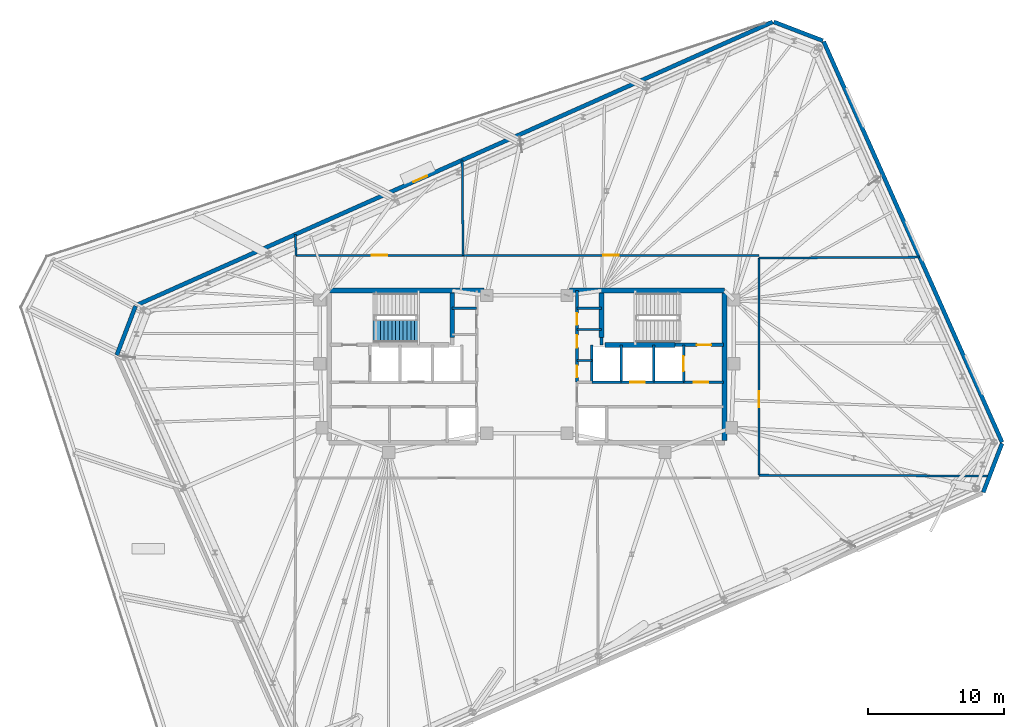
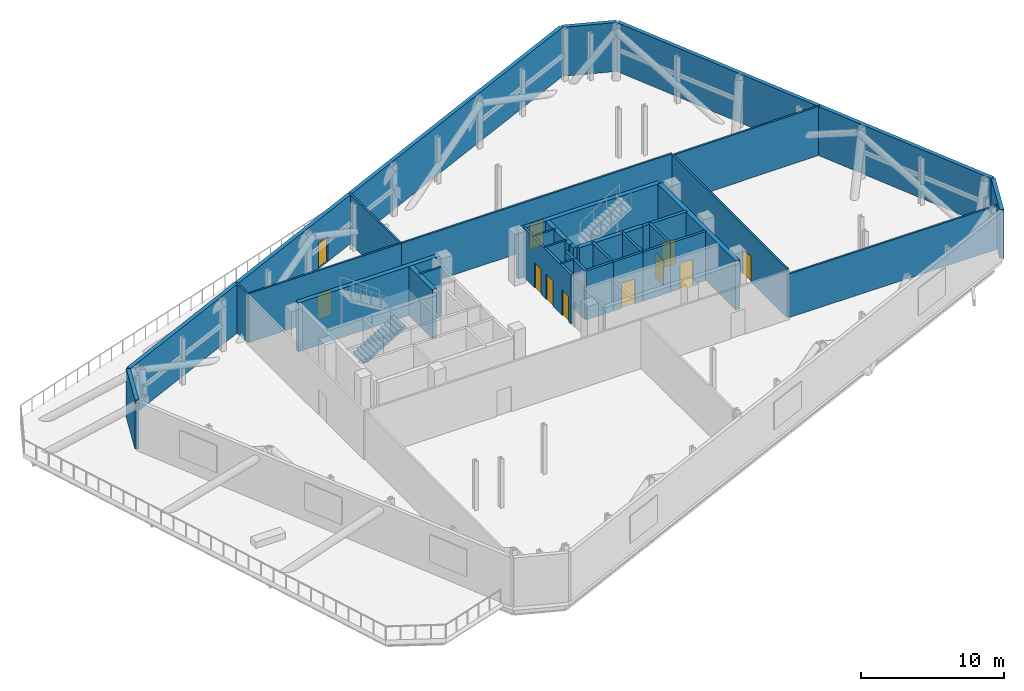
# One storey, part 13 of 15: 33 walls, 11 doors, 1 stair flight, 11 openings, 1 element without a shape of its own.
"""IFC4 building model written with IfcOpenShell, lengths in metres."""

from ifc_helpers import new_model, si_unit, direction, frame, frame_2d, origin, place, context, subcontext, project, spatial, polyline, rectangle, outline, extrude, material, layer, layer_set, type_object, element, fill, aggregate, save


model = new_model("IFC4")

# Units and contexts
model_context = context("Model", 3, precision=1e-05, world=origin(), true_north=direction((0.0, 1.0)))
body_context = subcontext(model_context, "Body", "Model", "MODEL_VIEW")
ifc_project = project(units=[si_unit("LENGTHUNIT", "METRE"), si_unit("AREAUNIT", "SQUARE_METRE"), si_unit("VOLUMEUNIT", "CUBIC_METRE"), si_unit("PLANEANGLEUNIT", "RADIAN"), si_unit("MASSUNIT", "GRAM", prefix="KILO")], contexts=[model_context])

# Site, building, storey
site_placement = place(None, origin())
site = spatial("IfcSite", under=ifc_project, at=site_placement, CompositionType="ELEMENT")
building_placement = place(site_placement, origin())
building = spatial("IfcBuilding", under=site, at=building_placement, Name="Menara Jurai Vektor", CompositionType="ELEMENT")
storey_placement = place(building_placement, frame((0.0, 0.0, 254.449951171875)))
storey = spatial("IfcBuildingStorey", under=building, at=storey_placement, Name="L68", CompositionType="ELEMENT", Elevation=254.449951171875)

# Walls
ifc_material_1 = material(Name="Insulated Pale Aluminium Spandrel Wall", Category="aluminium")
ifc_layer_1 = layer(ifc_material_1, 0.300048828125)
ifc_layer_set_1 = layer_set([ifc_layer_1], Name="Insulated Pale Aluminium Spandrel Wall")
wall_type_1 = type_object("IfcWallType", Name="ENV-WALL-EXT300", PredefinedType="STANDARD", material=ifc_layer_set_1)
wall_1_placement = place(storey_placement, frame((33.622314453125, -9.26220703125, 0.0), z_axis=(0.0, 0.0, 1.0), x_axis=(0.358344855618, 0.933589291098, 0.0)))
element("IfcWall", 1, at=wall_1_placement, inside=storey, type_object=wall_type_1, Name="Plant Floor Enclosure Wall L68-02", PredefinedType="STANDARD", context=body_context, shape_type="SweptSolid", body=[
    extrude(rectangle(XDim=3.869873046875, YDim=0.300048828125, at=frame_2d((1.93505859375, 0.0))), origin(), (0.0, 0.0, 1.0), 4.175048828125),
])
wall_2_placement = place(storey_placement, frame((35.0068359375, -5.56640625, 0.0), z_axis=(0.0, 0.0, 1.0), x_axis=(-0.406735709426, 0.91354587333, 0.0)))
element("IfcWall", 2, at=wall_2_placement, inside=storey, type_object=wall_type_1, Name="Plant Floor Enclosure Wall L68-03", PredefinedType="STANDARD", context=body_context, shape_type="SweptSolid", body=[
    extrude(rectangle(XDim=32.309814453125, YDim=0.300048828125, at=frame_2d((16.15478515625, 0.0))), origin(), (0.0, 0.0, 1.0), 4.175048828125),
])
wall_3_placement = place(storey_placement, frame((21.804931640625, 24.007568359375, 0.0), z_axis=(0.0, 0.0, 1.0), x_axis=(-0.933589291098, 0.358344855618, 0.0)))
element("IfcWall", 3, at=wall_3_placement, inside=storey, type_object=wall_type_1, Name="Plant Floor Enclosure Wall L68-04", PredefinedType="STANDARD", context=body_context, shape_type="SweptSolid", body=[
    extrude(rectangle(XDim=3.869873046875, YDim=0.300048828125, at=frame_2d((1.93505859375, 0.0))), origin(), (0.0, 0.0, 1.0), 4.175048828125),
])

# Wall, opening, door
wall_4_placement = place(storey_placement, frame((18.10888671875, 25.39208984375, 0.0), z_axis=(0.0, 0.0, 1.0), x_axis=(-0.913544894419, -0.406737908095, 0.0)))
wall_4 = element("IfcWall", 4, at=wall_4_placement, inside=storey, type_object=wall_type_1, Name="Plant Floor Enclosure Wall L68-05", PredefinedType="STANDARD", context=body_context, shape_type="SweptSolid", body=[
    extrude(rectangle(XDim=51.309814453125, YDim=0.300048828125, at=frame_2d((25.65478515625, 0.0))), origin(), (0.0, 0.0, 1.0), 4.175048828125),
])
opening_1_placement = place(wall_4_placement, frame((27.8701171875, 0.0, 0.0)))
opening_1 = element("IfcOpeningElement", 5, at=opening_1_placement, cuts=wall_4, Name="Opening TD-L68", PredefinedType="OPENING", context=body_context, shape_type="SweptSolid", body=[
    extrude(rectangle(XDim=1.10009765625, YDim=2.199951171875, at=frame_2d((0.550048828125, 1.10009765625))), frame((0.0, 0.16015625, 0.0), z_axis=(0.0, -1.0, 0.0), x_axis=(1.0, 0.0, 0.0)), (0.0, 0.0, 1.0), 0.320068359375),
])
ifc_material_2 = material(Name="Anodised Aluminium Glazed Terrace Door", Category="aluminium")
door_type_1 = type_object("IfcDoorType", Name="ENV-DOOR-TER110", OperationType="NOTDEFINED", PredefinedType="DOOR", material=ifc_material_2)
door_1_placement = place(opening_1_placement, frame((1.10009765625, 0.0, 0.0), z_axis=(0.0, 0.0, 1.0), x_axis=(-1.0, 0.0, 0.0)))
door_1 = element("IfcDoor", 6, at=door_1_placement, inside=storey, type_object=door_type_1, Name="Spiral Terrace Access Door L68", OperationType="SINGLE_SWING_RIGHT", OverallHeight=2.199951171875, OverallWidth=1.10009765625, PredefinedType="DOOR", context=body_context, shape_type="SweptSolid", body=[
    extrude(rectangle(XDim=1.10009765625, YDim=2.199951171875, at=frame_2d((0.550048828125, 1.10009765625))), frame((0.0, 0.02490234375, 0.0), z_axis=(0.0, -1.0, 0.0), x_axis=(1.0, 0.0, 0.0)), (0.0, 0.0, 1.0), 0.050048828125),
])
fill(opening_1, door_1)

# Wall
wall_5_placement = place(storey_placement, frame((-28.822265625, 4.462158203125, 0.0), z_axis=(0.0, 0.0, 1.0), x_axis=(-0.358365962961, -0.933581189073, 0.0)))
element("IfcWall", 7, at=wall_5_placement, inside=storey, type_object=wall_type_1, Name="Plant Floor Enclosure Wall L68-06", PredefinedType="STANDARD", context=body_context, shape_type="SweptSolid", body=[
    extrude(rectangle(XDim=3.86962890625, YDim=0.300048828125, at=frame_2d((1.934814453125, 0.0))), origin(), (0.0, 0.0, 1.0), 4.175048828125),
])

# Wall, opening, door
ifc_material_3 = material(Name="Concrete C40/50", Category="concrete")
ifc_layer_2 = layer(ifc_material_3, 0.25)
ifc_layer_set_2 = layer_set([ifc_layer_2], Name="Concrete C40/50")
wall_type_2 = type_object("IfcWallType", Name="INT-WALL-CORE-250", PredefinedType="STANDARD", material=ifc_layer_set_2)
wall_6_placement = place(storey_placement, frame((10.89990234375, 1.60009765625, 0.0), z_axis=(0.0, 0.0, 1.0), x_axis=(1.0, 0.0, 0.0)))
wall_6 = element("IfcWall", 8, at=wall_6_placement, inside=storey, type_object=wall_type_2, Name="Interior Wall IW-250 L68", PredefinedType="STANDARD", context=body_context, shape_type="SweptSolid", body=[
    extrude(rectangle(XDim=3.60009765625, YDim=0.25, at=frame_2d((1.800048828125, 0.0))), origin(), (0.0, 0.0, 1.0), 4.175048828125),
])
opening_2_placement = place(wall_6_placement, frame((1.6201171875, 0.0, 0.0)))
opening_2 = element("IfcOpeningElement", 9, at=opening_2_placement, cuts=wall_6, Name="Opening D-L68-ST2", PredefinedType="OPENING", context=body_context, shape_type="SweptSolid", body=[
    extrude(rectangle(XDim=1.050048828125, YDim=2.14990234375, at=frame_2d((0.52490234375, 1.074951171875))), frame((0.0, 0.135009765625, 0.0), z_axis=(0.0, -1.0, 0.0), x_axis=(1.0, 0.0, 0.0)), (0.0, 0.0, 1.0), 0.27001953125),
])
ifc_material_4 = material(Name="Fire-Rated Steel Door", Category="steel")
door_type_2 = type_object("IfcDoorType", Name="DR-STAIR-1050", OperationType="NOTDEFINED", PredefinedType="DOOR", material=ifc_material_4)
door_2_placement = place(opening_2_placement, origin())
door_2 = element("IfcDoor", 10, at=door_2_placement, inside=storey, type_object=door_type_2, Name="Exit Stair ST2 Door L68", OperationType="SINGLE_SWING_LEFT", OverallHeight=2.14990234375, OverallWidth=1.050048828125, PredefinedType="DOOR", context=body_context, shape_type="SweptSolid", body=[
    extrude(rectangle(XDim=1.050048828125, YDim=2.14990234375, at=frame_2d((0.52490234375, 1.074951171875))), frame((0.0, 0.02490234375, 0.0), z_axis=(0.0, -1.0, 0.0), x_axis=(1.0, 0.0, 0.0)), (0.0, 0.0, 1.0), 0.050048828125),
])
fill(opening_2, door_2)

# Wall
wall_7_placement = place(storey_placement, frame((5.5, 1.60009765625, 0.0), z_axis=(0.0, 0.0, 1.0), x_axis=(0.0, 1.0, 0.0)))
element("IfcWall", 11, at=wall_7_placement, inside=storey, type_object=wall_type_2, Name="Interior Wall IW-250 L68", PredefinedType="STANDARD", context=body_context, shape_type="SweptSolid", body=[
    extrude(rectangle(XDim=0.5498046875, YDim=0.25, at=frame_2d((0.27490234375, 0.0))), origin(), (0.0, 0.0, 1.0), 4.175048828125),
])

# Wall, opening, door
wall_8_placement = place(storey_placement, frame((11.550048828125, -1.14990234375, 0.0), z_axis=(0.0, 0.0, 1.0), x_axis=(0.0, 1.0, 0.0)))
wall_8 = element("IfcWall", 12, at=wall_8_placement, inside=storey, type_object=wall_type_2, Name="Interior Wall IW-250 L68", PredefinedType="STANDARD", context=body_context, shape_type="SweptSolid", body=[
    extrude(rectangle(XDim=2.75, YDim=0.199951171875, at=frame_2d((1.375, 0.0))), origin(), (0.0, 0.0, 1.0), 4.175048828125),
])
opening_3_placement = place(wall_8_placement, frame((0.824951171875, 0.0, 0.0)))
opening_3 = element("IfcOpeningElement", 13, at=opening_3_placement, cuts=wall_8, Name="Opening LD-L68-FL2", PredefinedType="OPENING", context=body_context, shape_type="SweptSolid", body=[
    extrude(rectangle(XDim=1.10009765625, YDim=2.14990234375, at=frame_2d((0.550048828125, 1.074951171875))), frame((0.0, 0.10986328125, 0.0), z_axis=(0.0, -1.0, 0.0), x_axis=(1.0, 0.0, 0.0)), (0.0, 0.0, 1.0), 0.219970703125),
])
ifc_material_5 = material(Name="Stainless Steel Sliding Lift Landing Door", Category="steel")
door_type_3 = type_object("IfcDoorType", Name="DR-LIFT-FIRE-1100", OperationType="NOTDEFINED", PredefinedType="DOOR", material=ifc_material_5)
door_3_placement = place(opening_3_placement, origin())
door_3 = element("IfcDoor", 14, at=door_3_placement, inside=storey, type_object=door_type_3, Name="Lift Landing Door FL2 L68", OperationType="SLIDING_TO_RIGHT", OverallHeight=2.14990234375, OverallWidth=1.10009765625, PredefinedType="DOOR", context=body_context, shape_type="SweptSolid", body=[
    extrude(rectangle(XDim=1.10009765625, YDim=2.14990234375, at=frame_2d((0.550048828125, 1.074951171875))), frame((0.0, 0.02490234375, 0.0), z_axis=(0.0, -1.0, 0.0), x_axis=(1.0, 0.0, 0.0)), (0.0, 0.0, 1.0), 0.050048828125),
])
fill(opening_3, door_3)

# Wall
wall_9_placement = place(storey_placement, frame((9.35009765625, -1.14990234375, 0.0), z_axis=(0.0, 0.0, 1.0), x_axis=(0.0, 1.0, 0.0)))
element("IfcWall", 15, at=wall_9_placement, inside=storey, type_object=wall_type_2, Name="Interior Wall IW-250 L68", PredefinedType="STANDARD", context=body_context, shape_type="SweptSolid", body=[
    extrude(rectangle(XDim=2.75, YDim=0.199951171875, at=frame_2d((1.375, 0.0))), origin(), (0.0, 0.0, 1.0), 4.175048828125),
])

# Wall, opening, door
wall_10_placement = place(storey_placement, frame((11.550048828125, -1.14990234375, 0.0), z_axis=(0.0, 0.0, 1.0), x_axis=(1.0, 0.0, 0.0)))
wall_10 = element("IfcWall", 16, at=wall_10_placement, inside=storey, type_object=wall_type_2, Name="Interior Wall IW-250 L68", PredefinedType="STANDARD", context=body_context, shape_type="SweptSolid", body=[
    extrude(rectangle(XDim=2.949951171875, YDim=0.199951171875, at=frame_2d((1.47509765625, 0.0))), origin(), (0.0, 0.0, 1.0), 4.175048828125),
])
opening_4_placement = place(wall_10_placement, frame((0.75, 0.0, 0.0)))
opening_4 = element("IfcOpeningElement", 17, at=opening_4_placement, cuts=wall_10, Name="Opening D-L68-FFE", PredefinedType="OPENING", context=body_context, shape_type="SweptSolid", body=[
    extrude(rectangle(XDim=1.050048828125, YDim=2.179931640625, at=frame_2d((0.52490234375, 1.08984375))), frame((0.0, 0.10986328125, 0.0), z_axis=(0.0, -1.0, 0.0), x_axis=(1.0, 0.0, 0.0)), (0.0, 0.0, 1.0), 0.219970703125),
])
ifc_material_6 = material(Name="Fire-Rated Timber Door", Category="wood")
door_type_4 = type_object("IfcDoorType", Name="DR-LOBBY-1050", OperationType="NOTDEFINED", PredefinedType="DOOR", material=ifc_material_6)
door_4_placement = place(opening_4_placement, origin())
door_4 = element("IfcDoor", 18, at=door_4_placement, inside=storey, type_object=door_type_4, Name="Fire Lift Lobby Door E L68", OperationType="SINGLE_SWING_LEFT", OverallHeight=2.179931640625, OverallWidth=1.050048828125, PredefinedType="DOOR", context=body_context, shape_type="SweptSolid", body=[
    extrude(rectangle(XDim=1.050048828125, YDim=2.179931640625, at=frame_2d((0.52490234375, 1.08984375))), frame((0.0, 0.02490234375, 0.0), z_axis=(0.0, -1.0, 0.0), x_axis=(1.0, 0.0, 0.0)), (0.0, 0.0, 1.0), 0.050048828125),
])
fill(opening_4, door_4)

# Walls
wall_11_placement = place(storey_placement, frame((9.35009765625, -1.14990234375, 0.0), z_axis=(0.0, 0.0, 1.0), x_axis=(1.0, 0.0, 0.0)))
element("IfcWall", 19, at=wall_11_placement, inside=storey, type_object=wall_type_2, Name="Interior Wall IW-250 L68", PredefinedType="STANDARD", context=body_context, shape_type="SweptSolid", body=[
    extrude(rectangle(XDim=2.199951171875, YDim=0.199951171875, at=frame_2d((1.10009765625, 0.0))), origin(), (0.0, 0.0, 1.0), 4.175048828125),
])
ifc_material_7 = material(Name="Gypsum Fireboard Partition", Category="gypsum")
ifc_layer_3 = layer(ifc_material_7, 0.14990234375)
ifc_layer_set_3 = layer_set([ifc_layer_3], Name="Gypsum Fireboard Partition")
wall_type_3 = type_object("IfcWallType", Name="INT-WALL-CORR-150", PredefinedType="PARTITIONING", material=ifc_layer_set_3)
for number, where, z_axis, x_axis, name in (
    (20, (-5.5, 4.300048828125, 0.0), (0.0, 0.0, 1.0), (1.0, 0.0, 0.0), "Interior Wall IW-150 L68"),
    (21, (3.699951171875, 4.300048828125, 0.0), (0.0, 0.0, 1.0), (1.0, 0.0, 0.0), "Interior Wall IW-150 L68"),
):
    element("IfcWall", number, at=place(storey_placement, frame(where, z_axis=z_axis, x_axis=x_axis)), inside=storey, type_object=wall_type_3, Name=name, PredefinedType="PARTITIONING", context=body_context, shape_type="SweptSolid", body=[
        extrude(rectangle(XDim=1.800048828125, YDim=0.14990234375, at=frame_2d((0.89990234375, 0.0))), origin(), (0.0, 0.0, 1.0), 4.175048828125),
    ])
wall_12_placement = place(storey_placement, frame((3.699951171875, 0.449951171875, 0.0), z_axis=(0.0, 0.0, 1.0), x_axis=(1.0, 0.0, 0.0)))
element("IfcWall", 22, at=wall_12_placement, inside=storey, type_object=wall_type_3, Name="Interior Wall IW-150 L68", PredefinedType="PARTITIONING", context=body_context, shape_type="SweptSolid", body=[
    extrude(rectangle(XDim=1.090087890625, YDim=0.14990234375, at=frame_2d((0.544921875, 0.0))), origin(), (0.0, 0.0, 1.0), 4.175048828125),
])
wall_13_placement = place(storey_placement, frame((3.699951171875, 2.75, 0.0), z_axis=(0.0, 0.0, 1.0), x_axis=(1.0, 0.0, 0.0)))
element("IfcWall", 23, at=wall_13_placement, inside=storey, type_object=wall_type_3, Name="Interior Wall IW-150 L68", PredefinedType="PARTITIONING", context=body_context, shape_type="SweptSolid", body=[
    extrude(rectangle(XDim=1.800048828125, YDim=0.14990234375, at=frame_2d((0.89990234375, 0.0))), origin(), (0.0, 0.0, 1.0), 4.175048828125),
])

# Wall, opening, door
wall_14_placement = place(storey_placement, frame((-17.0, 8.199951171875, 0.0), z_axis=(0.0, 0.0, 1.0), x_axis=(1.0, 0.0, 0.0)))
wall_14 = element("IfcWall", 24, at=wall_14_placement, inside=storey, type_object=wall_type_3, Name="Interior Wall IW-150 L68", PredefinedType="PARTITIONING", context=body_context, shape_type="SweptSolid", body=[
    extrude(rectangle(XDim=12.300048828125, YDim=0.14990234375, at=frame_2d((6.14990234375, 0.0))), origin(), (0.0, 0.0, 1.0), 4.175048828125),
])
opening_5_placement = place(wall_14_placement, frame((5.574951171875, 0.0, 0.0)))
opening_5 = element("IfcOpeningElement", 25, at=opening_5_placement, cuts=wall_14, Name="Opening D68-09", PredefinedType="OPENING", context=body_context, shape_type="SweptSolid", body=[
    extrude(rectangle(XDim=1.14990234375, YDim=2.14990234375, at=frame_2d((0.574951171875, 1.074951171875))), frame((0.0, 0.0849609375, 0.0), z_axis=(0.0, -1.0, 0.0), x_axis=(1.0, 0.0, 0.0)), (0.0, 0.0, 1.0), 0.169921875),
])
ifc_material_8 = material(Name="Fire-Rated Steel Plant Door", Category="steel")
door_type_5 = type_object("IfcDoorType", Name="DR-PLANT-1150", OperationType="NOTDEFINED", PredefinedType="DOOR", material=ifc_material_8)
door_5_placement = place(opening_5_placement, origin())
door_5 = element("IfcDoor", 26, at=door_5_placement, inside=storey, type_object=door_type_5, Name="Interior Door D68-09", OperationType="SINGLE_SWING_LEFT", OverallHeight=2.14990234375, OverallWidth=1.14990234375, PredefinedType="DOOR", context=body_context, shape_type="SweptSolid", body=[
    extrude(rectangle(XDim=1.14990234375, YDim=2.14990234375, at=frame_2d((0.574951171875, 1.074951171875))), frame((0.0, 0.02490234375, 0.0), z_axis=(0.0, -1.0, 0.0), x_axis=(1.0, 0.0, 0.0)), (0.0, 0.0, 1.0), 0.050048828125),
])
fill(opening_5, door_5)

wall_15_placement = place(storey_placement, frame((-4.699951171875, 8.199951171875, 0.0), z_axis=(0.0, 0.0, 1.0), x_axis=(1.0, 0.0, 0.0)))
wall_15 = element("IfcWall", 27, at=wall_15_placement, inside=storey, type_object=wall_type_3, Name="Interior Wall IW-150 L68", PredefinedType="PARTITIONING", context=body_context, shape_type="SweptSolid", body=[
    extrude(rectangle(XDim=21.800048828125, YDim=0.14990234375, at=frame_2d((10.89990234375, 0.0))), origin(), (0.0, 0.0, 1.0), 4.175048828125),
])
opening_6_placement = place(wall_15_placement, frame((10.324951171875, 0.0, 0.0)))
opening_6 = element("IfcOpeningElement", 28, at=opening_6_placement, cuts=wall_15, Name="Opening D68-10", PredefinedType="OPENING", context=body_context, shape_type="SweptSolid", body=[
    extrude(rectangle(XDim=1.14990234375, YDim=2.14990234375, at=frame_2d((0.574951171875, 1.074951171875))), frame((0.0, 0.0849609375, 0.0), z_axis=(0.0, -1.0, 0.0), x_axis=(1.0, 0.0, 0.0)), (0.0, 0.0, 1.0), 0.169921875),
])
door_6_placement = place(opening_6_placement, origin())
door_6 = element("IfcDoor", 29, at=door_6_placement, inside=storey, type_object=door_type_5, Name="Interior Door D68-10", OperationType="SINGLE_SWING_RIGHT", OverallHeight=2.14990234375, OverallWidth=1.14990234375, PredefinedType="DOOR", context=body_context, shape_type="SweptSolid", body=[
    extrude(rectangle(XDim=1.14990234375, YDim=2.14990234375, at=frame_2d((0.574951171875, 1.074951171875))), frame((0.0, 0.02490234375, 0.0), z_axis=(0.0, -1.0, 0.0), x_axis=(1.0, 0.0, 0.0)), (0.0, 0.0, 1.0), 0.050048828125),
])
fill(opening_6, door_6)

wall_16_placement = place(storey_placement, frame((17.10009765625, -8.0, 0.0), z_axis=(0.0, 0.0, 1.0), x_axis=(0.0, 1.0, 0.0)))
wall_16 = element("IfcWall", 30, at=wall_16_placement, inside=storey, type_object=wall_type_3, Name="Interior Wall IW-150 L68", PredefinedType="PARTITIONING", context=body_context, shape_type="SweptSolid", body=[
    extrude(rectangle(XDim=16.0, YDim=0.14990234375, at=frame_2d((8.0, 0.0))), origin(), (0.0, 0.0, 1.0), 4.175048828125),
])
opening_7_placement = place(wall_16_placement, frame((5.02490234375, 0.0, 0.0)))
opening_7 = element("IfcOpeningElement", 31, at=opening_7_placement, cuts=wall_16, Name="Opening D68-14", PredefinedType="OPENING", context=body_context, shape_type="SweptSolid", body=[
    extrude(rectangle(XDim=1.14990234375, YDim=2.14990234375, at=frame_2d((0.574951171875, 1.074951171875))), frame((0.0, 0.0849609375, 0.0), z_axis=(0.0, -1.0, 0.0), x_axis=(1.0, 0.0, 0.0)), (0.0, 0.0, 1.0), 0.169921875),
])
door_7_placement = place(opening_7_placement, origin())
door_7 = element("IfcDoor", 32, at=door_7_placement, inside=storey, type_object=door_type_5, Name="Interior Door D68-14", OperationType="SINGLE_SWING_RIGHT", OverallHeight=2.14990234375, OverallWidth=1.14990234375, PredefinedType="DOOR", context=body_context, shape_type="SweptSolid", body=[
    extrude(rectangle(XDim=1.14990234375, YDim=2.14990234375, at=frame_2d((0.574951171875, 1.074951171875))), frame((0.0, 0.02490234375, 0.0), z_axis=(0.0, -1.0, 0.0), x_axis=(1.0, 0.0, 0.0)), (0.0, 0.0, 1.0), 0.050048828125),
])
fill(opening_7, door_7)

# Walls
wall_17_placement = place(storey_placement, frame((-4.699951171875, 8.199951171875, 0.0), z_axis=(0.0, 0.0, 1.0), x_axis=(-0.008706830723, 0.999962094831, 0.0)))
element("IfcWall", 33, at=wall_17_placement, inside=storey, type_object=wall_type_3, Name="Interior Wall IW-150 L68", PredefinedType="PARTITIONING", context=body_context, shape_type="SweptSolid", body=[
    extrude(rectangle(XDim=7.010009765625, YDim=0.14990234375, at=frame_2d((3.5048828125, 0.0))), origin(), (0.0, 0.0, 1.0), 4.175048828125),
])
wall_18_placement = place(storey_placement, frame((-17.0, 8.199951171875, 0.0), z_axis=(0.0, 0.0, 1.0), x_axis=(-0.039929919308, 0.999202482755, 0.0)))
element("IfcWall", 34, at=wall_18_placement, inside=storey, type_object=wall_type_3, Name="Interior Wall IW-150 L68", PredefinedType="PARTITIONING", context=body_context, shape_type="SweptSolid", body=[
    extrude(rectangle(XDim=1.53466796875, YDim=0.14990234375, at=frame_2d((0.767333984375, 0.0))), origin(), (0.0, 0.0, 1.0), 4.175048828125),
])
wall_19_placement = place(storey_placement, frame((17.10009765625, 8.0, 0.0), z_axis=(0.0, 0.0, 1.0), x_axis=(0.999986818459, 0.005134482272, 0.0)))
element("IfcWall", 35, at=wall_19_placement, inside=storey, type_object=wall_type_3, Name="Interior Wall IW-150 L68", PredefinedType="PARTITIONING", context=body_context, shape_type="SweptSolid", body=[
    extrude(rectangle(XDim=11.83984375, YDim=0.14990234375, at=frame_2d((5.919921875, 0.0))), origin(), (0.0, 0.0, 1.0), 4.175048828125),
])
ifc_layer_4 = layer(ifc_material_7, 0.14990234375)
ifc_layer_set_4 = layer_set([ifc_layer_4], Name="Gypsum Fireboard Partition")
wall_type_4 = type_object("IfcWallType", Name="INT-WALL-CORR-150-H1", PredefinedType="PARTITIONING", material=ifc_layer_set_4)
wall_20_placement = place(storey_placement, frame((17.10009765625, -8.0, 0.0), z_axis=(0.0, 0.0, 1.0), x_axis=(0.999995000741, -0.003162039528, 0.0)))
element("IfcWall", 36, at=wall_20_placement, inside=storey, type_object=wall_type_4, Name="Interior Wall IW-150 L68", PredefinedType="PARTITIONING", context=body_context, shape_type="SweptSolid", body=[
    extrude(rectangle(XDim=16.986083984375, YDim=0.14990234375, at=frame_2d((8.4931640625, 0.0))), origin(), (0.0, 0.0, 1.0), 3.72509765625),
])

# Wall, openings, doors
ifc_layer_5 = layer(ifc_material_3, 0.199951171875)
ifc_layer_set_5 = layer_set([ifc_layer_5], Name="Concrete C40/50")
wall_type_5 = type_object("IfcWallType", Name="INT-WALL-SHAFT-200", PredefinedType="STANDARD", material=ifc_layer_set_5)
wall_21_placement = place(storey_placement, frame((3.699951171875, -1.14990234375, 0.0), z_axis=(0.0, 0.0, 1.0), x_axis=(0.0, 1.0, 0.0)))
wall_21 = element("IfcWall", 37, at=wall_21_placement, inside=storey, type_object=wall_type_5, Name="Interior Wall IW-200 L68", PredefinedType="STANDARD", context=body_context, shape_type="SweptSolid", body=[
    extrude(rectangle(XDim=6.75, YDim=0.199951171875, at=frame_2d((3.375, 0.0))), origin(), (0.0, 0.0, 1.0), 4.175048828125),
])
opening_8_placement = place(wall_21_placement, frame((0.35009765625, 0.0, 0.0)))
opening_8 = element("IfcOpeningElement", 38, at=opening_8_placement, cuts=wall_21, Name="Opening D68-06", PredefinedType="OPENING", context=body_context, shape_type="SweptSolid", body=[
    extrude(rectangle(XDim=0.8798828125, YDim=2.14990234375, at=frame_2d((0.43994140625, 1.074951171875))), frame((0.0, 0.10986328125, 0.0), z_axis=(0.0, -1.0, 0.0), x_axis=(1.0, 0.0, 0.0)), (0.0, 0.0, 1.0), 0.219970703125),
])
opening_9_placement = place(wall_21_placement, frame((2.550048828125, 0.0, 0.0)))
opening_9 = element("IfcOpeningElement", 39, at=opening_9_placement, cuts=wall_21, Name="Opening D68-07", PredefinedType="OPENING", context=body_context, shape_type="SweptSolid", body=[
    extrude(rectangle(XDim=0.919921875, YDim=2.14990234375, at=frame_2d((0.4599609375, 1.074951171875))), frame((0.0, 0.10986328125, 0.0), z_axis=(0.0, -1.0, 0.0), x_axis=(1.0, 0.0, 0.0)), (0.0, 0.0, 1.0), 0.219970703125),
])
opening_10_placement = place(wall_21_placement, frame((4.219970703125, 0.0, 0.0)))
opening_10 = element("IfcOpeningElement", 40, at=opening_10_placement, cuts=wall_21, Name="Opening D68-08", PredefinedType="OPENING", context=body_context, shape_type="SweptSolid", body=[
    extrude(rectangle(XDim=0.8798828125, YDim=2.14990234375, at=frame_2d((0.43994140625, 1.074951171875))), frame((0.0, 0.10986328125, 0.0), z_axis=(0.0, -1.0, 0.0), x_axis=(1.0, 0.0, 0.0)), (0.0, 0.0, 1.0), 0.219970703125),
])
ifc_material_9 = material(Name="Solid Core Timber Fire Door", Category="wood")
door_type_6 = type_object("IfcDoorType", Name="DR-ENTRY-950", OperationType="NOTDEFINED", PredefinedType="DOOR", material=ifc_material_9)
door_8_placement = place(opening_8_placement, origin())
door_8 = element("IfcDoor", 41, at=door_8_placement, inside=storey, type_object=door_type_6, Name="Interior Door D68-06", OperationType="SINGLE_SWING_RIGHT", OverallHeight=2.14990234375, OverallWidth=0.8798828125, PredefinedType="DOOR", context=body_context, shape_type="SweptSolid", body=[
    extrude(rectangle(XDim=0.8798828125, YDim=2.14990234375, at=frame_2d((0.43994140625, 1.074951171875))), frame((0.0, 0.02490234375, 0.0), z_axis=(0.0, -1.0, 0.0), x_axis=(1.0, 0.0, 0.0)), (0.0, 0.0, 1.0), 0.050048828125),
])
fill(opening_8, door_8)
door_9_placement = place(opening_9_placement, origin())
door_9 = element("IfcDoor", 42, at=door_9_placement, inside=storey, type_object=door_type_6, Name="Interior Door D68-07", OperationType="SINGLE_SWING_RIGHT", OverallHeight=2.14990234375, OverallWidth=0.919921875, PredefinedType="DOOR", context=body_context, shape_type="SweptSolid", body=[
    extrude(rectangle(XDim=0.919921875, YDim=2.14990234375, at=frame_2d((0.4599609375, 1.074951171875))), frame((0.0, 0.02490234375, 0.0), z_axis=(0.0, -1.0, 0.0), x_axis=(1.0, 0.0, 0.0)), (0.0, 0.0, 1.0), 0.050048828125),
])
fill(opening_9, door_9)
door_10_placement = place(opening_10_placement, origin())
door_10 = element("IfcDoor", 43, at=door_10_placement, inside=storey, type_object=door_type_6, Name="Interior Door D68-08", OperationType="SINGLE_SWING_RIGHT", OverallHeight=2.14990234375, OverallWidth=0.8798828125, PredefinedType="DOOR", context=body_context, shape_type="SweptSolid", body=[
    extrude(rectangle(XDim=0.8798828125, YDim=2.14990234375, at=frame_2d((0.43994140625, 1.074951171875))), frame((0.0, 0.02490234375, 0.0), z_axis=(0.0, -1.0, 0.0), x_axis=(1.0, 0.0, 0.0)), (0.0, 0.0, 1.0), 0.050048828125),
])
fill(opening_10, door_10)

# Wall
wall_22_placement = place(storey_placement, frame((6.949951171875, -1.14990234375, 0.0), z_axis=(0.0, 0.0, 1.0), x_axis=(0.0, 1.0, 0.0)))
element("IfcWall", 44, at=wall_22_placement, inside=storey, type_object=wall_type_5, Name="Interior Wall IW-200 L68", PredefinedType="STANDARD", context=body_context, shape_type="SweptSolid", body=[
    extrude(rectangle(XDim=2.75, YDim=0.199951171875, at=frame_2d((1.375, 0.0))), origin(), (0.0, 0.0, 1.0), 4.175048828125),
])

# Wall, opening, door
wall_23_placement = place(storey_placement, frame((6.949951171875, -1.14990234375, 0.0), z_axis=(0.0, 0.0, 1.0), x_axis=(1.0, 0.0, 0.0)))
wall_23 = element("IfcWall", 45, at=wall_23_placement, inside=storey, type_object=wall_type_5, Name="Interior Wall IW-200 L68", PredefinedType="STANDARD", context=body_context, shape_type="SweptSolid", body=[
    extrude(rectangle(XDim=2.400146484375, YDim=0.199951171875, at=frame_2d((1.2001953125, 0.0))), origin(), (0.0, 0.0, 1.0), 4.175048828125),
])
opening_11_placement = place(wall_23_placement, frame((0.64990234375, 0.0, 0.0)))
opening_11 = element("IfcOpeningElement", 46, at=opening_11_placement, cuts=wall_23, Name="Opening LD-L68-SVL2", PredefinedType="OPENING", context=body_context, shape_type="SweptSolid", body=[
    extrude(rectangle(XDim=1.10009765625, YDim=2.14990234375, at=frame_2d((0.550048828125, 1.074951171875))), frame((0.0, 0.10986328125, 0.0), z_axis=(0.0, -1.0, 0.0), x_axis=(1.0, 0.0, 0.0)), (0.0, 0.0, 1.0), 0.219970703125),
])
ifc_material_10 = material(Name="Anodised Stainless Sliding Lift Landing Door", Category="steel")
door_type_7 = type_object("IfcDoorType", Name="DR-LIFT-PASS-1100", OperationType="NOTDEFINED", PredefinedType="DOOR", material=ifc_material_10)
door_11_placement = place(opening_11_placement, origin())
door_11 = element("IfcDoor", 47, at=door_11_placement, inside=storey, type_object=door_type_7, Name="Lift Landing Door SVL2 L68", OperationType="SLIDING_TO_RIGHT", OverallHeight=2.14990234375, OverallWidth=1.10009765625, PredefinedType="DOOR", context=body_context, shape_type="SweptSolid", body=[
    extrude(rectangle(XDim=1.10009765625, YDim=2.14990234375, at=frame_2d((0.550048828125, 1.074951171875))), frame((0.0, 0.02490234375, 0.0), z_axis=(0.0, -1.0, 0.0), x_axis=(1.0, 0.0, 0.0)), (0.0, 0.0, 1.0), 0.050048828125),
])
fill(opening_11, door_11)

# Walls
wall_24_placement = place(storey_placement, frame((4.7900390625, -1.14990234375, 0.0), z_axis=(0.0, 0.0, 1.0), x_axis=(0.0, 1.0, 0.0)))
element("IfcWall", 48, at=wall_24_placement, inside=storey, type_object=wall_type_5, Name="Interior Wall IW-200 L68", PredefinedType="STANDARD", context=body_context, shape_type="SweptSolid", body=[
    extrude(rectangle(XDim=2.75, YDim=0.199951171875, at=frame_2d((1.375, 0.0))), origin(), (0.0, 0.0, 1.0), 4.175048828125),
])
wall_25_placement = place(storey_placement, frame((4.7900390625, -1.14990234375, 0.0), z_axis=(0.0, 0.0, 1.0), x_axis=(1.0, 0.0, 0.0)))
element("IfcWall", 49, at=wall_25_placement, inside=storey, type_object=wall_type_5, Name="Interior Wall IW-200 L68", PredefinedType="STANDARD", context=body_context, shape_type="SweptSolid", body=[
    extrude(rectangle(XDim=2.159912109375, YDim=0.199951171875, at=frame_2d((1.080078125, 0.0))), origin(), (0.0, 0.0, 1.0), 4.175048828125),
])
ifc_material_11 = material(Name="Concrete C50/60", Category="concrete")
ifc_layer_6 = layer(ifc_material_11, 0.35009765625)
ifc_layer_set_6 = layer_set([ifc_layer_6], Name="Concrete C50/60")
wall_type_6 = type_object("IfcWallType", Name="STR-WALL-CORE350", PredefinedType="SHEAR", material=ifc_layer_set_6)
wall_26_placement = place(storey_placement, frame((-14.56005859375, 5.60009765625, 0.0), z_axis=(0.0, 0.0, 1.0), x_axis=(1.0, 0.0, 0.0)))
element("IfcWall", 50, at=wall_26_placement, inside=storey, type_object=wall_type_6, Name="Core Shear Wall CW-W-N L68", PredefinedType="SHEAR", context=body_context, shape_type="SweptSolid", body=[
    extrude(rectangle(XDim=11.41015625, YDim=0.35009765625, at=frame_2d((5.705078125, 0.0))), origin(), (0.0, 0.0, 1.0), 4.175048828125),
])
wall_27_placement = place(storey_placement, frame((-5.5, 2.14990234375, 0.0), z_axis=(0.0, 0.0, 1.0), x_axis=(0.0, 1.0, 0.0)))
element("IfcWall", 51, at=wall_27_placement, inside=storey, type_object=wall_type_6, Name="Core Shear Wall CW-W-ST L68", PredefinedType="SHEAR", context=body_context, shape_type="SweptSolid", body=[
    extrude(rectangle(XDim=3.275146484375, YDim=0.35009765625, at=frame_2d((1.6376953125, 0.0))), origin(), (0.0, 0.0, 1.0), 4.175048828125),
])
wall_28_placement = place(storey_placement, frame((3.14990234375, 5.60009765625, 0.0), z_axis=(0.0, 0.0, 1.0), x_axis=(1.0, 0.0, 0.0)))
element("IfcWall", 52, at=wall_28_placement, inside=storey, type_object=wall_type_6, Name="Core Shear Wall CW-E-N L68", PredefinedType="SHEAR", context=body_context, shape_type="SweptSolid", body=[
    extrude(rectangle(XDim=11.41015625, YDim=0.35009765625, at=frame_2d((5.705078125, 0.0))), origin(), (0.0, 0.0, 1.0), 4.175048828125),
])
wall_29_placement = place(storey_placement, frame((14.56005859375, -5.425048828125, 0.0), z_axis=(0.0, 0.0, 1.0), x_axis=(0.0, 1.0, 0.0)))
element("IfcWall", 53, at=wall_29_placement, inside=storey, type_object=wall_type_6, Name="Core Shear Wall CW-E-E L68", PredefinedType="SHEAR", context=body_context, shape_type="SweptSolid", body=[
    extrude(rectangle(XDim=10.85009765625, YDim=0.35009765625, at=frame_2d((5.425048828125, 0.0))), origin(), (0.0, 0.0, 1.0), 4.175048828125),
])
wall_30_placement = place(storey_placement, frame((5.5, 2.14990234375, 0.0), z_axis=(0.0, 0.0, 1.0), x_axis=(0.0, 1.0, 0.0)))
element("IfcWall", 54, at=wall_30_placement, inside=storey, type_object=wall_type_6, Name="Core Shear Wall CW-E-ST L68", PredefinedType="SHEAR", context=body_context, shape_type="SweptSolid", body=[
    extrude(rectangle(XDim=3.275146484375, YDim=0.35009765625, at=frame_2d((1.6376953125, 0.0))), origin(), (0.0, 0.0, 1.0), 4.175048828125),
])
wall_31_placement = place(storey_placement, frame((5.75, 1.60009765625, 0.0), z_axis=(0.0, 0.0, 1.0), x_axis=(1.0, 0.0, 0.0)))
element("IfcWall", 55, at=wall_31_placement, inside=storey, type_object=wall_type_6, Name="Core Shear Wall CW-E-STS L68", PredefinedType="SHEAR", context=body_context, shape_type="SweptSolid", body=[
    extrude(rectangle(XDim=5.14990234375, YDim=0.35009765625, at=frame_2d((2.574951171875, 0.0))), origin(), (0.0, 0.0, 1.0), 4.175048828125),
])

# Stair, stair flight
stair_type = type_object("IfcStairType", Name="STAIR-DOGLEG-1500", PredefinedType="HALF_TURN_STAIR", material=ifc_material_3)
stair_placement = place(storey_placement, origin())
stair = element("IfcStair", 56, at=stair_placement, inside=storey, type_object=stair_type, Name="Protected Exit Stair ST1 L68", PredefinedType="HALF_TURN_STAIR")
stair_flight_type = type_object("IfcStairFlightType", Name="STAIR-FLIGHT-1500", PredefinedType="STRAIGHT", material=ifc_material_3)
stair_flight_placement = place(storey_placement, frame((-11.35009765625, 2.64990234375, 0.0), z_axis=(0.0, 0.0, 1.0), x_axis=(1.0, 0.0, 0.0)))
stair_flight = element("IfcStairFlight", 57, at=stair_flight_placement, type_object=stair_flight_type, Name="ST1 flight 1", NumberOfRisers=13, NumberOfTreads=12, PredefinedType="STRAIGHT", RiserHeight=0.169231, TreadLength=0.28, context=body_context, shape_type="SweptSolid", body=[
    extrude(outline(polyline([(0.0, 0.0), (0.0, 0.169189453125), (0.280029296875, 0.169189453125), (0.280029296875, 0.33837890625), (0.56005859375, 0.33837890625), (0.56005859375, 0.5078125), (0.840087890625, 0.5078125), (0.840087890625, 0.677001953125), (1.1201171875, 0.677001953125), (1.1201171875, 0.84619140625), (1.39990234375, 0.84619140625), (1.39990234375, 1.015380859375), (1.679931640625, 1.015380859375), (1.679931640625, 1.1845703125), (1.9599609375, 1.1845703125), (1.9599609375, 1.353759765625), (2.239990234375, 1.353759765625), (2.239990234375, 1.523193359375), (2.52001953125, 1.523193359375), (2.52001953125, 1.6923828125), (2.800048828125, 1.6923828125), (2.800048828125, 1.861572265625), (3.080078125, 1.861572265625), (3.080078125, 2.03076171875), (3.360107421875, 2.03076171875), (3.360107421875, 2.199951171875), (3.360107421875, 1.843994140625), (0.30908203125, 0.0), (0.0, 0.0)])), frame((0.0, 0.75, 0.0), z_axis=(0.0, -1.0, 0.0), x_axis=(1.0, 0.0, 0.0)), (0.0, 0.0, 1.0), 1.5),
])
aggregate(stair, [stair_flight])

save(model, "model.ifc")
